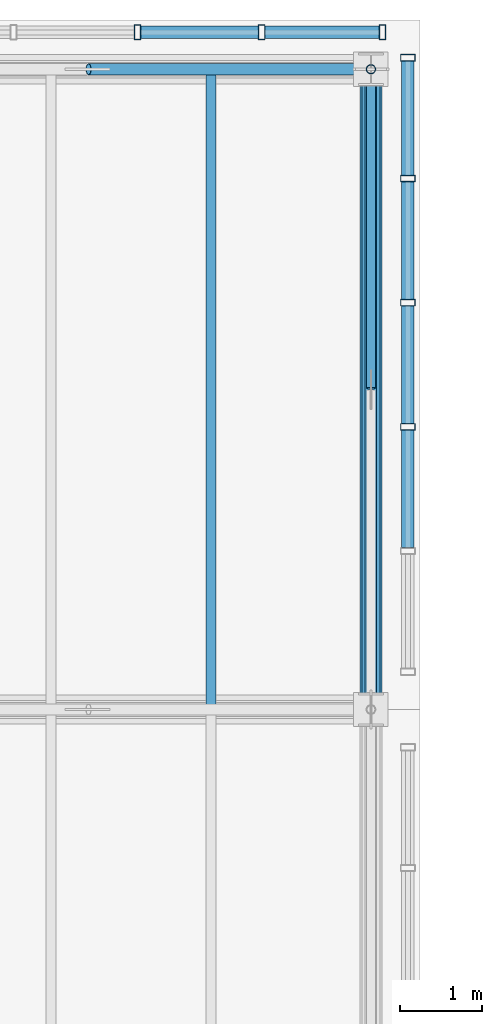
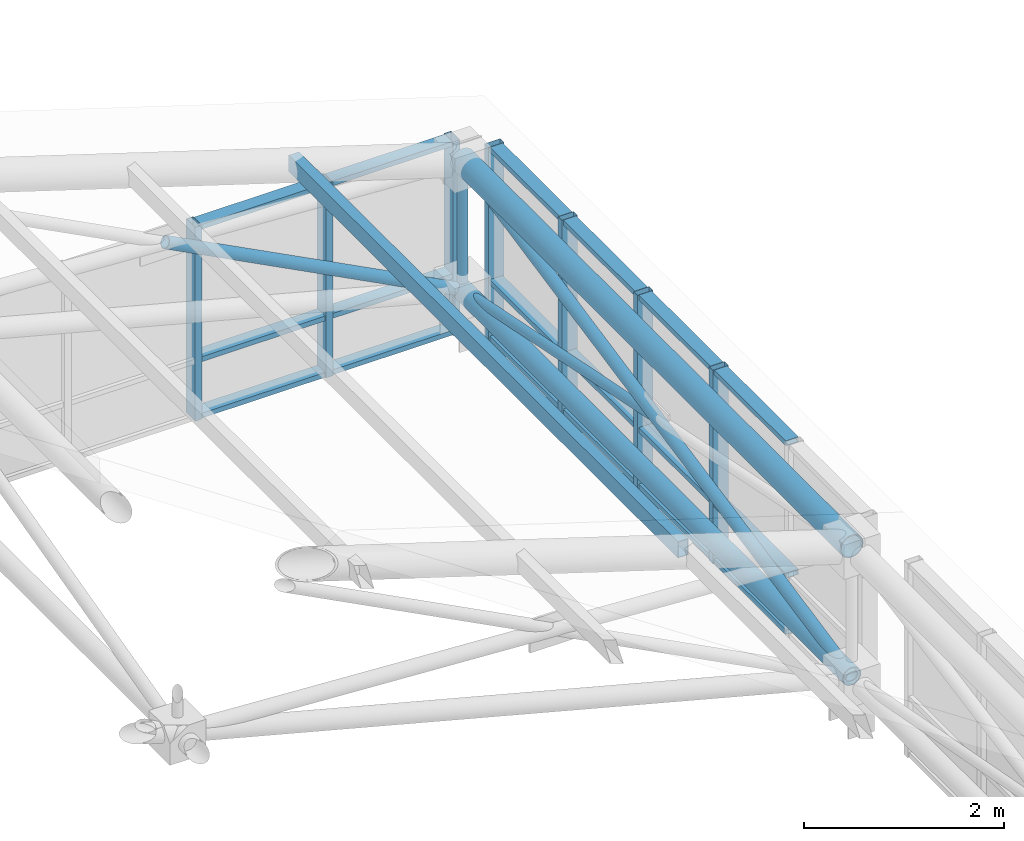
# One storey, part 104 of 144: 32 members, 2 elements without a shape of their own.
"""IFC4 building model written with IfcOpenShell, lengths in metres."""

import ifcopenshell
import ifcopenshell.guid

model = None  # the IFC model being written
_history = None  # IfcOwnerHistory: only IFC2X3 demands one
_inside = {}  # id of a spatial element -> (the spatial element, [elements in it])
_under = {}  # id of a project, library or spatial element -> (it, [spatial elements below it])
_declared = {}  # id of a project -> (the project, [libraries it declares])
_typed = {}  # id of a type object -> (the type object, [elements of that type])
_made_of = {}  # id of a material, layer set ... -> (it, [elements and type objects made of it])


def new_model(schema):
    """Start an empty IFC model of exactly this schema.

    Asked for "IFC4X3", IfcOpenShell would pick the latest addendum, in which some entities
    have other attributes; the version numbers below select the first issue.
    IFC2X3 requires an IfcOwnerHistory on every rooted entity: one is made here for all.
    """
    global model, _history
    if schema == "IFC4X3":
        model = ifcopenshell.file(schema_version=(4, 3, 0, 0))
    else:
        model = ifcopenshell.file(schema=schema)
    _inside.clear()
    _under.clear()
    _declared.clear()
    _typed.clear()
    _made_of.clear()
    _history = None
    if model.schema == "IFC2X3":
        org = make("IfcOrganization", Name="unknown")
        user = make(
            "IfcPersonAndOrganization",
            ThePerson=make("IfcPerson", FamilyName="unknown"),
            TheOrganization=org,
        )
        app = make(
            "IfcApplication",
            ApplicationDeveloper=org,
            Version="unknown",
            ApplicationFullName="unknown",
            ApplicationIdentifier="unknown",
        )
        _history = make(
            "IfcOwnerHistory",
            OwningUser=user,
            OwningApplication=app,
            ChangeAction="ADDED",
            CreationDate=0,
        )
    return model


def make(cls, **values):
    """One entity of the class cls with the attributes given. An attribute that is None is left unset."""
    return model.create_entity(
        cls, **{name: value for name, value in values.items() if value is not None}
    )


def rooted(cls, **values):
    """An entity with a GlobalId (a new one), such as an element, a storey or a relation."""
    return make(cls, GlobalId=ifcopenshell.guid.new(), OwnerHistory=_history, **values)


def si_unit(unit_type, name, prefix=None):
    """IfcSIUnit, for example si_unit("LENGTHUNIT", "METRE", prefix="MILLI")."""
    return make("IfcSIUnit", UnitType=unit_type, Prefix=prefix, Name=name)


def assignment(units):
    """IfcUnitAssignment: the units of a project."""
    return None if units is None else make("IfcUnitAssignment", Units=units)


def point(xyz):
    """IfcCartesianPoint."""
    return None if xyz is None else make("IfcCartesianPoint", Coordinates=xyz)


def direction(xyz):
    """IfcDirection."""
    return None if xyz is None else make("IfcDirection", DirectionRatios=xyz)


def frame(location, z_axis=None, x_axis=None):
    """IfcAxis2Placement3D, a coordinate frame: its origin and axes. An axis left out is left unset."""
    return make(
        "IfcAxis2Placement3D",
        Location=point(location),
        Axis=direction(z_axis),
        RefDirection=direction(x_axis),
    )


def frame_2d(location, x_axis=None):
    """IfcAxis2Placement2D, a coordinate frame in the plane: its origin and x axis."""
    return make(
        "IfcAxis2Placement2D", Location=point(location), RefDirection=direction(x_axis)
    )


def origin():
    """The frame at (0, 0, 0) with its axes left unset."""
    return frame((0.0, 0.0, 0.0))


def origin_2d():
    """The frame at (0, 0) in the plane with its x axis left unset."""
    return frame_2d((0.0, 0.0))


def place(relative_to, where):
    """IfcLocalPlacement: puts the frame where relative to a parent placement (None: the world)."""
    return make(
        "IfcLocalPlacement", PlacementRelTo=relative_to, RelativePlacement=where
    )


def context(
    kind, dimensions, precision=None, world=None, true_north=None, identifier=None
):
    """IfcGeometricRepresentationContext, for example the 3D "Model" context."""
    return make(
        "IfcGeometricRepresentationContext",
        ContextIdentifier=identifier,
        ContextType=kind,
        CoordinateSpaceDimension=dimensions,
        Precision=precision,
        WorldCoordinateSystem=world,
        TrueNorth=true_north,
    )


def subcontext(parent, identifier, kind, view, scale=None):
    """IfcGeometricRepresentationSubContext, for example "Body" below "Model"."""
    return make(
        "IfcGeometricRepresentationSubContext",
        ContextIdentifier=identifier,
        ContextType=kind,
        ParentContext=parent,
        TargetScale=scale,
        TargetView=view,
    )


def project(units=None, contexts=None):
    """IfcProject with its units and contexts."""
    return rooted(
        "IfcProject",
        Name="project",
        RepresentationContexts=contexts,
        UnitsInContext=assignment(units),
    )


def spatial(cls, under=None, at=None, **own):
    """A site, building, storey or space (cls), placed at a placement, below another one or the project."""
    s = rooted(cls, ObjectPlacement=at, **own)
    if under is not None:
        _under.setdefault(under.id(), (under, []))[1].append(s)
    return s


def profile(cls, at=None, kind="AREA", **sizes):
    """A parametric profile (cls). Its sizes go by their IFC names, for example OverallWidth=200.0."""
    return make(cls, ProfileType=kind, Position=at, **sizes)


def hollow_rectangle(**sizes):
    """IfcRectangleHollowProfileDef."""
    return profile("IfcRectangleHollowProfileDef", **sizes)


def hollow_circle(**sizes):
    """IfcCircleHollowProfileDef."""
    return profile("IfcCircleHollowProfileDef", **sizes)


def extrude(swept, where, along, depth):
    """IfcExtrudedAreaSolid: the profile swept, set in the frame where, extruded along a direction by depth."""
    return make(
        "IfcExtrudedAreaSolid",
        SweptArea=swept,
        Position=where,
        ExtrudedDirection=direction(along),
        Depth=depth,
    )


def shape(context_of_items, identifier, shape_type, items):
    """IfcShapeRepresentation: the items that make up one representation, for example the "Body"."""
    return make(
        "IfcShapeRepresentation",
        ContextOfItems=context_of_items,
        RepresentationIdentifier=identifier,
        RepresentationType=shape_type,
        Items=items,
    )


def material(Name=None, Category=None):
    """IfcMaterial."""
    return make("IfcMaterial", Name=Name, Category=Category)


def layer(
    of_material, thickness, ventilated=None, Name=None, Category=None, Priority=None
):
    """IfcMaterialLayer: one layer of a wall or slab, of a material (None: an air gap)."""
    return make(
        "IfcMaterialLayer",
        Material=of_material,
        LayerThickness=thickness,
        IsVentilated=ventilated,
        Name=Name,
        Category=Category,
        Priority=Priority,
    )


def layer_set(layers, Name=None):
    """IfcMaterialLayerSet."""
    return make("IfcMaterialLayerSet", MaterialLayers=layers, LayerSetName=Name)


def material_profile(
    of_material, cross_section, Name=None, Category=None, Priority=None
):
    """IfcMaterialProfile: a cross section and its material."""
    return make(
        "IfcMaterialProfile",
        Name=Name,
        Material=of_material,
        Profile=cross_section,
        Priority=Priority,
        Category=Category,
    )


def profile_set(profiles, Name=None, composite=None):
    """IfcMaterialProfileSet."""
    return make(
        "IfcMaterialProfileSet",
        Name=Name,
        MaterialProfiles=profiles,
        CompositeProfile=composite,
    )


def made_of(thing, what):
    """Note that an element or type object is made of a material, layer set ...; save() writes the relation."""
    if what is not None:
        _made_of.setdefault(what.id(), (what, []))[1].append(thing)
    return thing


def type_object(cls, material=None, **own):
    """A type object (cls), such as IfcWallType, which elements share."""
    return made_of(rooted(cls, **own), material)


def element(
    cls,
    number,
    at=None,
    inside=None,
    cuts=None,
    type_object=None,
    material=None,
    context=None,
    identifier="Body",
    shape_type=None,
    held_by="IfcProductDefinitionShape",
    body=None,
    shapes=None,
    **own,
):
    """One element of the class cls, such as IfcWall. Its Tag is "e" and its number.

    at: its placement. inside: the storey or other place that contains it. cuts: it is an
    opening in that element (IfcRelVoidsElement). A single representation is given by context,
    identifier, shape_type and body (its items); several are given by shapes. held_by: the class
    of the entity that holds the representations. save() writes the other relations.
    """
    e = rooted(cls, Tag="e%d" % number, ObjectPlacement=at, **own)
    if body is not None:
        shapes = [shape(context, identifier, shape_type, body)]
    if shapes is not None:
        e.Representation = make(held_by, Representations=shapes)
    if inside is not None:
        _inside.setdefault(inside.id(), (inside, []))[1].append(e)
    if cuts is not None:
        rooted(
            "IfcRelVoidsElement", RelatingBuildingElement=cuts, RelatedOpeningElement=e
        )
    if type_object is not None:
        _typed.setdefault(type_object.id(), (type_object, []))[1].append(e)
    return made_of(e, material)


def aggregate(whole, parts):
    """IfcRelAggregates: a whole, such as a stair, and the parts it consists of."""
    return rooted("IfcRelAggregates", RelatingObject=whole, RelatedObjects=parts)


def save(model, path):
    """Write the relations noted so far, then the file.

    IfcRelAggregates (storeys below a building ...), IfcRelContainedInSpatialStructure (elements
    in a storey), IfcRelDefinesByType, IfcRelAssociatesMaterial and IfcRelDeclares: one each for
    every whole, place, type object, material and project.
    """
    for whole, parts in _under.values():
        aggregate(whole, parts)
    for where, things in _inside.values():
        rooted(
            "IfcRelContainedInSpatialStructure",
            RelatedElements=things,
            RelatingStructure=where,
        )
    for kind, things in _typed.values():
        rooted("IfcRelDefinesByType", RelatedObjects=things, RelatingType=kind)
    for what, things in _made_of.values():
        rooted("IfcRelAssociatesMaterial", RelatedObjects=things, RelatingMaterial=what)
    for by, libraries in _declared.values():
        rooted("IfcRelDeclares", RelatingContext=by, RelatedDefinitions=libraries)
    model.write(path)


model = new_model("IFC4")

# Units and contexts
model_context = context("Model", 3, precision=1e-05, world=origin(), true_north=direction((0.0, 1.0)))
body_context = subcontext(model_context, "Body", "Model", "MODEL_VIEW")
ifc_project = project(units=[si_unit("LENGTHUNIT", "METRE"), si_unit("AREAUNIT", "SQUARE_METRE"), si_unit("VOLUMEUNIT", "CUBIC_METRE"), si_unit("PLANEANGLEUNIT", "RADIAN"), si_unit("MASSUNIT", "GRAM", prefix="KILO")], contexts=[model_context])

# Site, building, storey
site_placement = place(None, origin())
site = spatial("IfcSite", under=ifc_project, at=site_placement, CompositionType="ELEMENT")
building_placement = place(site_placement, origin())
building = spatial("IfcBuilding", under=site, at=building_placement, Name="Zayran Congress Hotel", CompositionType="ELEMENT")
storey_placement = place(building_placement, frame((0.0, 0.0, 19.199951171875)))
storey = spatial("IfcBuildingStorey", under=building, at=storey_placement, Name="L04", CompositionType="ELEMENT", Elevation=19.199951171875)

# Members
ifc_material_1 = material(Name="Steel S355", Category="steel")
ifc_material_profile_1 = material_profile(ifc_material_1, hollow_circle(Radius=0.136474609375, WallThickness=0.012451171875, at=origin_2d()), Name="CHS 273x12.5")
ifc_profile_set_1 = profile_set([ifc_material_profile_1], Name="Steel S355")
member_type_1 = type_object("IfcMemberType", Name="TP-SF-TC2", PredefinedType="CHORD", material=ifc_profile_set_1)
member_1_placement = place(storey_placement, frame((91.800048828125, 109.60009765625, 2.19140625), z_axis=(0.0, 1.0, 0.0), x_axis=(-1.0, 0.0, 0.0)))
element("IfcMember", 1, at=member_1_placement, inside=storey, type_object=member_type_1, Name="Space Frame Top Chord Y 568", PredefinedType="CHORD", context=body_context, shape_type="SweptSolid", body=[
    extrude(hollow_circle(Radius=0.136474609375, WallThickness=0.012451171875, at=origin_2d()), origin(), (0.0, 0.0, 1.0), 7.7998046875),
])
ifc_material_profile_2 = material_profile(ifc_material_1, hollow_circle(Radius=0.109619140625, WallThickness=0.010009765625, at=origin_2d()), Name="CHS 219.1x10")
ifc_profile_set_2 = profile_set([ifc_material_profile_2], Name="Steel S355")
member_type_2 = type_object("IfcMemberType", Name="TP-SF-BC1", PredefinedType="CHORD", material=ifc_profile_set_2)
member_2_placement = place(storey_placement, frame((91.800048828125, 109.60009765625, 0.60009765625), z_axis=(0.0, 1.0, 0.0), x_axis=(-1.0, 0.0, 0.0)))
element("IfcMember", 2, at=member_2_placement, inside=storey, type_object=member_type_2, Name="Space Frame Bottom Chord Y 569", PredefinedType="CHORD", context=body_context, shape_type="SweptSolid", body=[
    extrude(hollow_circle(Radius=0.109619140625, WallThickness=0.010009765625, at=origin_2d()), origin(), (0.0, 0.0, 1.0), 7.7998046875),
])
ifc_material_profile_3 = material_profile(ifc_material_1, hollow_circle(Radius=0.06982421875, WallThickness=0.00634765625, at=origin_2d()), Name="CHS 139.7x6.3")
ifc_profile_set_3 = profile_set([ifc_material_profile_3], Name="Steel S355")
member_type_3 = type_object("IfcMemberType", Name="TP-SF-DG2", PredefinedType="BRACE", material=ifc_profile_set_3)
member_3_placement = place(storey_placement, frame((88.359130859375, 117.39990234375, 2.387451171875), z_axis=(0.887419803116, 0.0, -0.4609621384), x_axis=(0.0, 1.0, 0.0)))
element("IfcMember", 3, at=member_3_placement, inside=storey, type_object=member_type_3, Name="Space Frame Counter Diagonal X Lower 82", PredefinedType="BRACE", context=body_context, shape_type="SweptSolid", body=[
    extrude(hollow_circle(Radius=0.06982421875, WallThickness=0.00634765625, at=origin_2d()), origin(), (0.0, 0.0, 1.0), 3.87744140625),
])
member_4_placement = place(storey_placement, frame((91.800048828125, 109.60009765625, 0.60009765625), z_axis=(0.0, 0.979816074487, 0.199901126002), x_axis=(-1.0, 0.0, 0.0)))
element("IfcMember", 4, at=member_4_placement, inside=storey, type_object=member_type_3, Name="Space Frame Web Diagonal Y 570", PredefinedType="BRACE", context=body_context, shape_type="SweptSolid", body=[
    extrude(hollow_circle(Radius=0.06982421875, WallThickness=0.00634765625, at=origin_2d()), origin(), (0.0, 0.0, 1.0), 7.96044921875),
])
ifc_material_profile_4 = material_profile(ifc_material_1, hollow_circle(Radius=0.05712890625, WallThickness=0.00634765625, at=origin_2d()), Name="CHS 114.3x6.3")
ifc_profile_set_4 = profile_set([ifc_material_profile_4], Name="Steel S355")
member_type_4 = type_object("IfcMemberType", Name="TP-SF-DG3", PredefinedType="BRACE", material=ifc_profile_set_4)
member_5_placement = place(storey_placement, frame((91.800048828125, 113.5146484375, 1.392822265625), z_axis=(0.0, 0.979813166371, -0.199915379616), x_axis=(-1.0, 0.0, 0.0)))
element("IfcMember", 5, at=member_5_placement, inside=storey, type_object=member_type_4, Name="Space Frame Bracing Diagonal Y Lower 88", PredefinedType="BRACE", context=body_context, shape_type="SweptSolid", body=[
    extrude(hollow_circle(Radius=0.05712890625, WallThickness=0.00634765625, at=origin_2d()), origin(), (0.0, 0.0, 1.0), 3.96533203125),
])
member_6_placement = place(storey_placement, frame((91.800048828125, 117.39990234375, 0.60009765625), z_axis=(0.0, 0.0, 1.0), x_axis=(0.0, 1.0, 0.0)))
element("IfcMember", 6, at=member_6_placement, inside=storey, type_object=member_type_4, Name="Space Frame Web Strut 573", PredefinedType="BRACE", context=body_context, shape_type="SweptSolid", body=[
    extrude(hollow_circle(Radius=0.05712890625, WallThickness=0.00634765625, at=origin_2d()), origin(), (0.0, 0.0, 1.0), 1.59130859375),
])
ifc_material_profile_5 = material_profile(ifc_material_1, hollow_rectangle(XDim=0.1201171875, YDim=0.199951171875, WallThickness=0.008056640625, at=origin_2d()), Name="RHS 200x120x8")
ifc_profile_set_5 = profile_set([ifc_material_profile_5], Name="Steel S355")
member_type_5 = type_object("IfcMemberType", Name="TP-PR-01", PredefinedType="PURLIN", material=ifc_profile_set_5)
member_7_placement = place(storey_placement, frame((89.85009765625, 109.60009765625, 2.8486328125), z_axis=(0.0, 1.0, 0.0), x_axis=(-1.0, 0.0, 0.0)))
element("IfcMember", 7, at=member_7_placement, inside=storey, type_object=member_type_5, Name="MEM-PR-V1-0180", PredefinedType="PURLIN", context=body_context, shape_type="SweptSolid", body=[
    extrude(hollow_rectangle(XDim=0.1201171875, YDim=0.199951171875, WallThickness=0.008056640625, at=origin_2d()), origin(), (0.0, 0.0, 1.0), 7.7998046875),
])

# Curtain wall, members
ifc_material_2 = material(Name="Anodised aluminium and low-E insulated glass", Category="aluminium")
ifc_layer_1 = layer(ifc_material_2, 0.179931640625)
ifc_layer_set_1 = layer_set([ifc_layer_1], Name="Anodised aluminium and low-E insulated glass")
curtain_wall_type_1 = type_object("IfcCurtainWallType", Name="CW-V1CL-L04-CW-41-7560-2370", PredefinedType="USERDEFINED", material=ifc_layer_set_1)
curtain_wall_1_placement = place(storey_placement, origin())
curtain_wall_1 = element("IfcCurtainWall", 8, at=curtain_wall_1_placement, inside=storey, type_object=curtain_wall_type_1, Name="CW-V1CLE-5", ObjectType="CURTAIN WALL", PredefinedType="USERDEFINED")
ifc_material_3 = material(Name="Anodised aluminium framing", Category="aluminium")
ifc_material_profile_6 = material_profile(ifc_material_3, hollow_rectangle(XDim=0.080078125, YDim=0.179931640625, WallThickness=0.0048828125, at=origin_2d()), Name="RHS 180x80x5")
ifc_profile_set_6 = profile_set([ifc_material_profile_6], Name="Anodised aluminium framing")
member_type_6 = type_object("IfcMemberType", Name="TP-CWM-01", PredefinedType="MULLION", material=ifc_profile_set_6)
member_8_placement = place(storey_placement, frame((92.25, 113.0439453125, -0.219970703125), z_axis=(0.0, 0.0, 1.0), x_axis=(0.0, 1.0, 0.0)))
member_8 = element("IfcMember", 9, at=member_8_placement, type_object=member_type_6, Name="CW-V1CLE-5-M02", PredefinedType="MULLION", context=body_context, shape_type="SweptSolid", body=[
    extrude(hollow_rectangle(XDim=0.080078125, YDim=0.179931640625, WallThickness=0.0048828125, at=origin_2d()), origin(), (0.0, 0.0, 1.0), 2.3701171875),
])
member_9_placement = place(storey_placement, frame((92.25, 114.555908203125, -0.219970703125), z_axis=(0.0, 0.0, 1.0), x_axis=(0.0, 1.0, 0.0)))
member_9 = element("IfcMember", 10, at=member_9_placement, type_object=member_type_6, Name="CW-V1CLE-5-M03", PredefinedType="MULLION", context=body_context, shape_type="SweptSolid", body=[
    extrude(hollow_rectangle(XDim=0.080078125, YDim=0.179931640625, WallThickness=0.0048828125, at=origin_2d()), origin(), (0.0, 0.0, 1.0), 2.3701171875),
])
member_10_placement = place(storey_placement, frame((92.25, 116.068115234375, -0.219970703125), z_axis=(0.0, 0.0, 1.0), x_axis=(0.0, 1.0, 0.0)))
member_10 = element("IfcMember", 11, at=member_10_placement, type_object=member_type_6, Name="CW-V1CLE-5-M04", PredefinedType="MULLION", context=body_context, shape_type="SweptSolid", body=[
    extrude(hollow_rectangle(XDim=0.080078125, YDim=0.179931640625, WallThickness=0.0048828125, at=origin_2d()), origin(), (0.0, 0.0, 1.0), 2.3701171875),
])
member_11_placement = place(storey_placement, frame((92.25, 117.5400390625, -0.219970703125), z_axis=(0.0, 0.0, 1.0), x_axis=(0.0, 1.0, 0.0)))
member_11 = element("IfcMember", 12, at=member_11_placement, type_object=member_type_6, Name="CW-V1CLE-5-M05", PredefinedType="MULLION", context=body_context, shape_type="SweptSolid", body=[
    extrude(hollow_rectangle(XDim=0.080078125, YDim=0.179931640625, WallThickness=0.0048828125, at=origin_2d()), origin(), (0.0, 0.0, 1.0), 2.3701171875),
])

ifc_layer_2 = layer(ifc_material_2, 0.179931640625)
ifc_layer_set_2 = layer_set([ifc_layer_2], Name="Anodised aluminium and low-E insulated glass")
curtain_wall_type_2 = type_object("IfcCurtainWallType", Name="CW-V1CL-L04-CW-21-7560-2370", PredefinedType="USERDEFINED", material=ifc_layer_set_2)
curtain_wall_2_placement = place(storey_placement, origin())
curtain_wall_2 = element("IfcCurtainWall", 13, at=curtain_wall_2_placement, inside=storey, type_object=curtain_wall_type_2, Name="CW-V1CLN-9", ObjectType="CURTAIN WALL", PredefinedType="USERDEFINED")
member_12_placement = place(storey_placement, frame((91.93994140625, 117.85009765625, -0.219970703125), z_axis=(0.0, 0.0, 1.0), x_axis=(1.0, 0.0, 0.0)))
member_12 = element("IfcMember", 14, at=member_12_placement, type_object=member_type_6, Name="CW-V1CLN-9-M00", PredefinedType="MULLION", context=body_context, shape_type="SweptSolid", body=[
    extrude(hollow_rectangle(XDim=0.080078125, YDim=0.179931640625, WallThickness=0.0048828125, at=origin_2d()), origin(), (0.0, 0.0, 1.0), 2.3701171875),
])
member_13_placement = place(storey_placement, frame((90.468017578125, 117.85009765625, -0.219970703125), z_axis=(0.0, 0.0, 1.0), x_axis=(1.0, 0.0, 0.0)))
member_13 = element("IfcMember", 15, at=member_13_placement, type_object=member_type_6, Name="CW-V1CLN-9-M01", PredefinedType="MULLION", context=body_context, shape_type="SweptSolid", body=[
    extrude(hollow_rectangle(XDim=0.080078125, YDim=0.179931640625, WallThickness=0.0048828125, at=origin_2d()), origin(), (0.0, 0.0, 1.0), 2.3701171875),
])
member_14_placement = place(storey_placement, frame((88.9560546875, 117.85009765625, -0.219970703125), z_axis=(0.0, 0.0, 1.0), x_axis=(1.0, 0.0, 0.0)))
member_14 = element("IfcMember", 16, at=member_14_placement, type_object=member_type_6, Name="CW-V1CLN-9-M02", PredefinedType="MULLION", context=body_context, shape_type="SweptSolid", body=[
    extrude(hollow_rectangle(XDim=0.080078125, YDim=0.179931640625, WallThickness=0.0048828125, at=origin_2d()), origin(), (0.0, 0.0, 1.0), 2.3701171875),
])

# Member
ifc_material_profile_7 = material_profile(ifc_material_3, hollow_rectangle(XDim=0.06005859375, YDim=0.14990234375, WallThickness=0.00390625, at=origin_2d()), Name="RHS 150x60x4")
ifc_profile_set_7 = profile_set([ifc_material_profile_7], Name="Anodised aluminium framing")
member_type_7 = type_object("IfcMemberType", Name="TP-CWT-01", PredefinedType="USERDEFINED", material=ifc_profile_set_7)
member_15_placement = place(storey_placement, frame((92.25, 111.572021484375, -0.18994140625), z_axis=(0.0, 1.0, 0.0), x_axis=(0.0, 0.0, 1.0)))
member_15 = element("IfcMember", 17, at=member_15_placement, type_object=member_type_7, Name="CW-V1CLE-5-T01-0", ObjectType="TRANSOM", PredefinedType="USERDEFINED", context=body_context, shape_type="SweptSolid", body=[
    extrude(hollow_rectangle(XDim=0.06005859375, YDim=0.14990234375, WallThickness=0.00390625, at=origin_2d()), origin(), (0.0, 0.0, 1.0), 1.431884765625),
])

member_16_placement = place(storey_placement, frame((92.25, 111.572021484375, 0.5), z_axis=(0.0, 1.0, 0.0), x_axis=(0.0, 0.0, 1.0)))
member_16 = element("IfcMember", 18, at=member_16_placement, type_object=member_type_7, Name="CW-V1CLE-5-T01-1", ObjectType="TRANSOM", PredefinedType="USERDEFINED", context=body_context, shape_type="SweptSolid", body=[
    extrude(hollow_rectangle(XDim=0.06005859375, YDim=0.14990234375, WallThickness=0.00390625, at=origin_2d()), origin(), (0.0, 0.0, 1.0), 1.431884765625),
])

member_17_placement = place(storey_placement, frame((92.25, 111.572021484375, 2.1201171875), z_axis=(0.0, 1.0, 0.0), x_axis=(0.0, 0.0, 1.0)))
member_17 = element("IfcMember", 19, at=member_17_placement, type_object=member_type_7, Name="CW-V1CLE-5-T01-2", ObjectType="TRANSOM", PredefinedType="USERDEFINED", context=body_context, shape_type="SweptSolid", body=[
    extrude(hollow_rectangle(XDim=0.06005859375, YDim=0.14990234375, WallThickness=0.00390625, at=origin_2d()), origin(), (0.0, 0.0, 1.0), 1.431884765625),
])

member_18_placement = place(storey_placement, frame((92.25, 113.083984375, -0.18994140625), z_axis=(0.0, 1.0, 0.0), x_axis=(0.0, 0.0, 1.0)))
member_18 = element("IfcMember", 20, at=member_18_placement, type_object=member_type_7, Name="CW-V1CLE-5-T02-0", ObjectType="TRANSOM", PredefinedType="USERDEFINED", context=body_context, shape_type="SweptSolid", body=[
    extrude(hollow_rectangle(XDim=0.06005859375, YDim=0.14990234375, WallThickness=0.00390625, at=origin_2d()), origin(), (0.0, 0.0, 1.0), 1.43212890625),
])

member_19_placement = place(storey_placement, frame((92.25, 113.083984375, 0.5), z_axis=(0.0, 1.0, 0.0), x_axis=(0.0, 0.0, 1.0)))
member_19 = element("IfcMember", 21, at=member_19_placement, type_object=member_type_7, Name="CW-V1CLE-5-T02-1", ObjectType="TRANSOM", PredefinedType="USERDEFINED", context=body_context, shape_type="SweptSolid", body=[
    extrude(hollow_rectangle(XDim=0.06005859375, YDim=0.14990234375, WallThickness=0.00390625, at=origin_2d()), origin(), (0.0, 0.0, 1.0), 1.43212890625),
])

member_20_placement = place(storey_placement, frame((92.25, 113.083984375, 2.1201171875), z_axis=(0.0, 1.0, 0.0), x_axis=(0.0, 0.0, 1.0)))
member_20 = element("IfcMember", 22, at=member_20_placement, type_object=member_type_7, Name="CW-V1CLE-5-T02-2", ObjectType="TRANSOM", PredefinedType="USERDEFINED", context=body_context, shape_type="SweptSolid", body=[
    extrude(hollow_rectangle(XDim=0.06005859375, YDim=0.14990234375, WallThickness=0.00390625, at=origin_2d()), origin(), (0.0, 0.0, 1.0), 1.43212890625),
])

member_21_placement = place(storey_placement, frame((92.25, 114.595947265625, -0.18994140625), z_axis=(0.0, 1.0, 0.0), x_axis=(0.0, 0.0, 1.0)))
member_21 = element("IfcMember", 23, at=member_21_placement, type_object=member_type_7, Name="CW-V1CLE-5-T03-0", ObjectType="TRANSOM", PredefinedType="USERDEFINED", context=body_context, shape_type="SweptSolid", body=[
    extrude(hollow_rectangle(XDim=0.06005859375, YDim=0.14990234375, WallThickness=0.00390625, at=origin_2d()), origin(), (0.0, 0.0, 1.0), 1.43212890625),
])

member_22_placement = place(storey_placement, frame((92.25, 114.595947265625, 0.5), z_axis=(0.0, 1.0, 0.0), x_axis=(0.0, 0.0, 1.0)))
member_22 = element("IfcMember", 24, at=member_22_placement, type_object=member_type_7, Name="CW-V1CLE-5-T03-1", ObjectType="TRANSOM", PredefinedType="USERDEFINED", context=body_context, shape_type="SweptSolid", body=[
    extrude(hollow_rectangle(XDim=0.06005859375, YDim=0.14990234375, WallThickness=0.00390625, at=origin_2d()), origin(), (0.0, 0.0, 1.0), 1.43212890625),
])

member_23_placement = place(storey_placement, frame((92.25, 114.595947265625, 2.1201171875), z_axis=(0.0, 1.0, 0.0), x_axis=(0.0, 0.0, 1.0)))
member_23 = element("IfcMember", 25, at=member_23_placement, type_object=member_type_7, Name="CW-V1CLE-5-T03-2", ObjectType="TRANSOM", PredefinedType="USERDEFINED", context=body_context, shape_type="SweptSolid", body=[
    extrude(hollow_rectangle(XDim=0.06005859375, YDim=0.14990234375, WallThickness=0.00390625, at=origin_2d()), origin(), (0.0, 0.0, 1.0), 1.43212890625),
])

member_24_placement = place(storey_placement, frame((92.25, 116.10791015625, -0.18994140625), z_axis=(0.0, 1.0, 0.0), x_axis=(0.0, 0.0, 1.0)))
member_24 = element("IfcMember", 26, at=member_24_placement, type_object=member_type_7, Name="CW-V1CLE-5-T04-0", ObjectType="TRANSOM", PredefinedType="USERDEFINED", context=body_context, shape_type="SweptSolid", body=[
    extrude(hollow_rectangle(XDim=0.06005859375, YDim=0.14990234375, WallThickness=0.00390625, at=origin_2d()), origin(), (0.0, 0.0, 1.0), 1.39208984375),
])

member_25_placement = place(storey_placement, frame((92.25, 116.10791015625, 0.5), z_axis=(0.0, 1.0, 0.0), x_axis=(0.0, 0.0, 1.0)))
member_25 = element("IfcMember", 27, at=member_25_placement, type_object=member_type_7, Name="CW-V1CLE-5-T04-1", ObjectType="TRANSOM", PredefinedType="USERDEFINED", context=body_context, shape_type="SweptSolid", body=[
    extrude(hollow_rectangle(XDim=0.06005859375, YDim=0.14990234375, WallThickness=0.00390625, at=origin_2d()), origin(), (0.0, 0.0, 1.0), 1.39208984375),
])

member_26_placement = place(storey_placement, frame((92.25, 116.10791015625, 2.1201171875), z_axis=(0.0, 1.0, 0.0), x_axis=(0.0, 0.0, 1.0)))
member_26 = element("IfcMember", 28, at=member_26_placement, type_object=member_type_7, Name="CW-V1CLE-5-T04-2", ObjectType="TRANSOM", PredefinedType="USERDEFINED", context=body_context, shape_type="SweptSolid", body=[
    extrude(hollow_rectangle(XDim=0.06005859375, YDim=0.14990234375, WallThickness=0.00390625, at=origin_2d()), origin(), (0.0, 0.0, 1.0), 1.39208984375),
])

aggregate(curtain_wall_1, [member_8, member_9, member_10, member_11, member_15, member_16, member_17, member_18, member_19, member_20, member_21, member_22, member_23, member_24, member_25, member_26])

member_27_placement = place(storey_placement, frame((91.89990234375, 117.85009765625, -0.18994140625), z_axis=(-1.0, 0.0, 0.0), x_axis=(0.0, 0.0, 1.0)))
member_27 = element("IfcMember", 29, at=member_27_placement, type_object=member_type_7, Name="CW-V1CLN-9-T00-0", ObjectType="TRANSOM", PredefinedType="USERDEFINED", context=body_context, shape_type="SweptSolid", body=[
    extrude(hollow_rectangle(XDim=0.06005859375, YDim=0.14990234375, WallThickness=0.00390625, at=origin_2d()), origin(), (0.0, 0.0, 1.0), 1.391845703125),
])

member_28_placement = place(storey_placement, frame((91.89990234375, 117.85009765625, 0.5), z_axis=(-1.0, 0.0, 0.0), x_axis=(0.0, 0.0, 1.0)))
member_28 = element("IfcMember", 30, at=member_28_placement, type_object=member_type_7, Name="CW-V1CLN-9-T00-1", ObjectType="TRANSOM", PredefinedType="USERDEFINED", context=body_context, shape_type="SweptSolid", body=[
    extrude(hollow_rectangle(XDim=0.06005859375, YDim=0.14990234375, WallThickness=0.00390625, at=origin_2d()), origin(), (0.0, 0.0, 1.0), 1.391845703125),
])

member_29_placement = place(storey_placement, frame((91.89990234375, 117.85009765625, 2.1201171875), z_axis=(-1.0, 0.0, 0.0), x_axis=(0.0, 0.0, 1.0)))
member_29 = element("IfcMember", 31, at=member_29_placement, type_object=member_type_7, Name="CW-V1CLN-9-T00-2", ObjectType="TRANSOM", PredefinedType="USERDEFINED", context=body_context, shape_type="SweptSolid", body=[
    extrude(hollow_rectangle(XDim=0.06005859375, YDim=0.14990234375, WallThickness=0.00390625, at=origin_2d()), origin(), (0.0, 0.0, 1.0), 1.391845703125),
])

member_30_placement = place(storey_placement, frame((90.427978515625, 117.85009765625, -0.18994140625), z_axis=(-1.0, 0.0, 0.0), x_axis=(0.0, 0.0, 1.0)))
member_30 = element("IfcMember", 32, at=member_30_placement, type_object=member_type_7, Name="CW-V1CLN-9-T01-0", ObjectType="TRANSOM", PredefinedType="USERDEFINED", context=body_context, shape_type="SweptSolid", body=[
    extrude(hollow_rectangle(XDim=0.06005859375, YDim=0.14990234375, WallThickness=0.00390625, at=origin_2d()), origin(), (0.0, 0.0, 1.0), 1.431884765625),
])

member_31_placement = place(storey_placement, frame((90.427978515625, 117.85009765625, 0.5), z_axis=(-1.0, 0.0, 0.0), x_axis=(0.0, 0.0, 1.0)))
member_31 = element("IfcMember", 33, at=member_31_placement, type_object=member_type_7, Name="CW-V1CLN-9-T01-1", ObjectType="TRANSOM", PredefinedType="USERDEFINED", context=body_context, shape_type="SweptSolid", body=[
    extrude(hollow_rectangle(XDim=0.06005859375, YDim=0.14990234375, WallThickness=0.00390625, at=origin_2d()), origin(), (0.0, 0.0, 1.0), 1.431884765625),
])

member_32_placement = place(storey_placement, frame((90.427978515625, 117.85009765625, 2.1201171875), z_axis=(-1.0, 0.0, 0.0), x_axis=(0.0, 0.0, 1.0)))
member_32 = element("IfcMember", 34, at=member_32_placement, type_object=member_type_7, Name="CW-V1CLN-9-T01-2", ObjectType="TRANSOM", PredefinedType="USERDEFINED", context=body_context, shape_type="SweptSolid", body=[
    extrude(hollow_rectangle(XDim=0.06005859375, YDim=0.14990234375, WallThickness=0.00390625, at=origin_2d()), origin(), (0.0, 0.0, 1.0), 1.431884765625),
])

aggregate(curtain_wall_2, [member_12, member_13, member_14, member_27, member_28, member_29, member_30, member_31, member_32])

save(model, "model.ifc")
